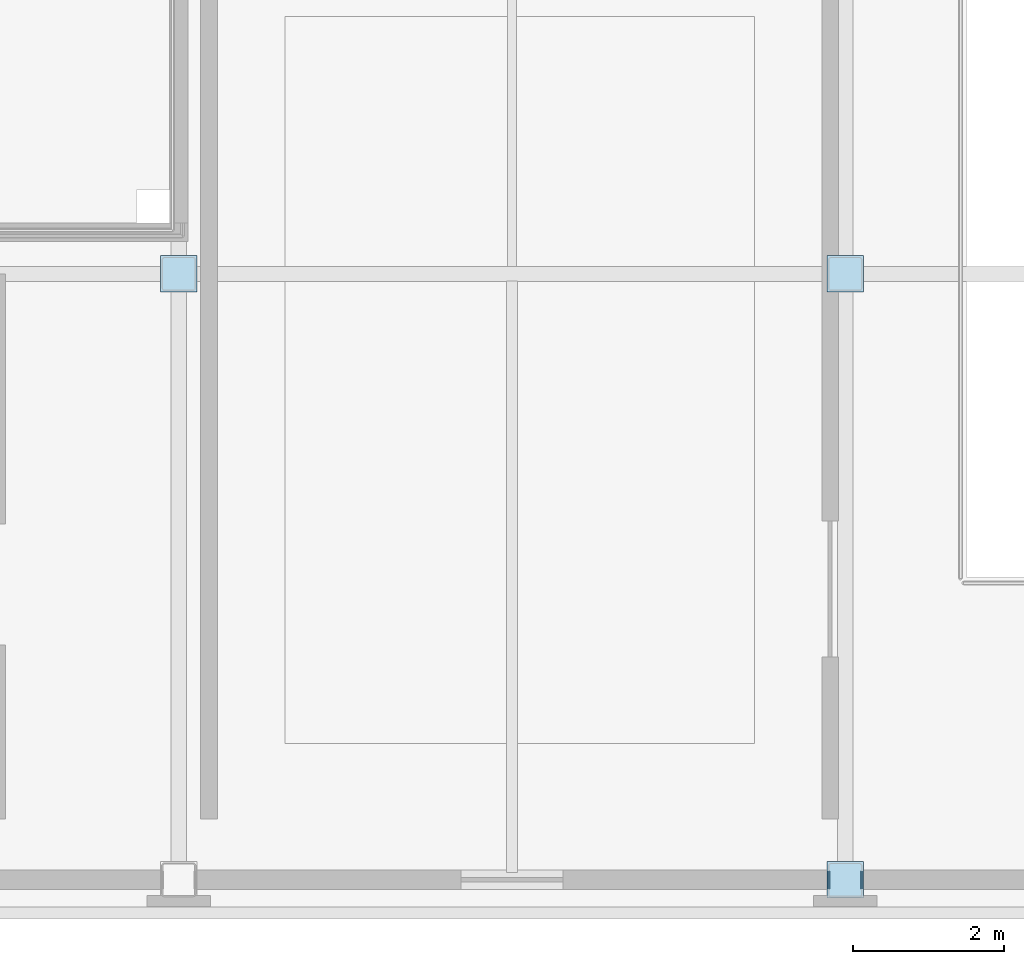
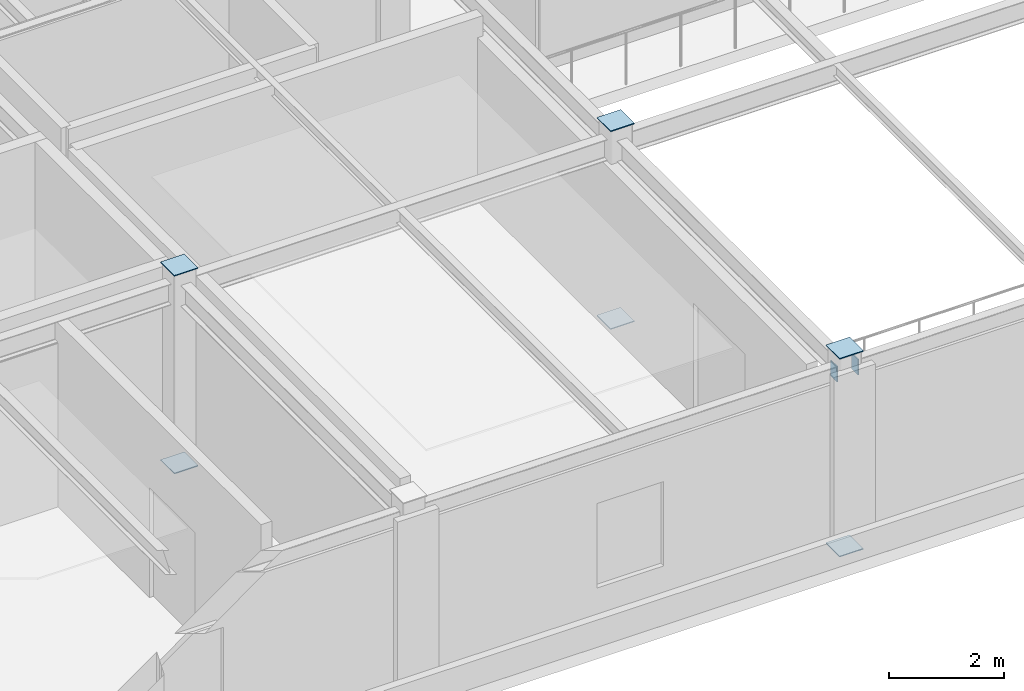
# One storey, part 4 of 18: 8 plates.
"""IFC4 building model written with IfcOpenShell, lengths in metres."""

from ifc_helpers import new_model, si_unit, direction, frame, origin, origin_2d, place, context, subcontext, project, spatial, rectangle, extrude, material, layer, layer_set, type_object, element, save


model = new_model("IFC4")

# Units and contexts
model_context = context("Model", 3, precision=1e-05, world=origin(), true_north=direction((0.0, 1.0)))
body_context = subcontext(model_context, "Body", "Model", "MODEL_VIEW")
ifc_project = project(units=[si_unit("LENGTHUNIT", "METRE"), si_unit("AREAUNIT", "SQUARE_METRE"), si_unit("VOLUMEUNIT", "CUBIC_METRE"), si_unit("PLANEANGLEUNIT", "RADIAN"), si_unit("MASSUNIT", "GRAM", prefix="KILO")], contexts=[model_context])

# Site, building, storey
site_placement = place(None, origin())
site = spatial("IfcSite", under=ifc_project, at=site_placement, CompositionType="ELEMENT")
building_placement = place(site_placement, origin())
building = spatial("IfcBuilding", under=site, at=building_placement, Name="Zhaolan Boulevard Law Courts", CompositionType="ELEMENT")
storey_placement = place(building_placement, frame((0.0, 0.0, 33.0)))
storey = spatial("IfcBuildingStorey", under=building, at=storey_placement, Name="L07", CompositionType="ELEMENT", Elevation=33.0)

# Plates
ifc_material = material(Name="Structural steel Q355B", Category="steel")
ifc_layer = layer(ifc_material, 0.02001953125)
ifc_layer_set = layer_set([ifc_layer])
plate_type = type_object("IfcPlateType", Name="END CAP PLATE 20", PredefinedType="SHEET", material=ifc_layer_set)
for number, where, z_axis, x_axis, name in (
    (1, (17.60009765625, 38.0, -0.01806640625), (0.0, 0.0, 1.0), (1.0, 0.0, 0.0), "Hollow Section End-Cap Plate ECP-0305"),
    (2, (17.60009765625, 38.0, 4.197998046875), (0.0, 0.0, 1.0), (1.0, 0.0, 0.0), "Hollow Section End-Cap Plate ECP-0306"),
    (3, (26.39990234375, 30.0, -0.01806640625), (0.0, 0.0, 1.0), (1.0, 0.0, 0.0), "Hollow Section End-Cap Plate ECP-0331"),
    (4, (26.39990234375, 30.0, 4.197998046875), (0.0, 0.0, 1.0), (1.0, 0.0, 0.0), "Hollow Section End-Cap Plate ECP-0332"),
    (5, (26.39990234375, 38.0, -0.01806640625), (0.0, 0.0, 1.0), (1.0, 0.0, 0.0), "Hollow Section End-Cap Plate ECP-0351"),
    (6, (26.39990234375, 38.0, 4.197998046875), (0.0, 0.0, 1.0), (1.0, 0.0, 0.0), "Hollow Section End-Cap Plate ECP-0352"),
):
    element("IfcPlate", number, at=place(storey_placement, frame(where, z_axis=z_axis, x_axis=x_axis)), inside=storey, type_object=plate_type, Name=name, PredefinedType="SHEET", context=body_context, shape_type="SweptSolid", body=[
        extrude(rectangle(XDim=0.47998046875, YDim=0.47998046875, at=origin_2d()), origin(), (0.0, 0.0, 1.0), 0.02001953125),
    ])
for number, where, z_axis, x_axis, name in (
    (7, (26.18701171875, 30.0, 3.633056640625), (0.0, 0.0, 1.0), (1.0, 0.0, 0.0), "Hollow Section End-Cap Plate ECP-1014"),
    (8, (26.613037109375, 30.0, 3.633056640625), (0.0, 0.0, 1.0), (1.0, 0.0, 0.0), "Hollow Section End-Cap Plate ECP-1015"),
):
    element("IfcPlate", number, at=place(storey_placement, frame(where, z_axis=z_axis, x_axis=x_axis)), inside=storey, type_object=plate_type, Name=name, PredefinedType="SHEET", context=body_context, shape_type="SweptSolid", body=[
        extrude(rectangle(XDim=0.02001953125, YDim=0.22998046875, at=origin_2d()), origin(), (0.0, 0.0, 1.0), 0.330078125),
    ])

save(model, "model.ifc")
